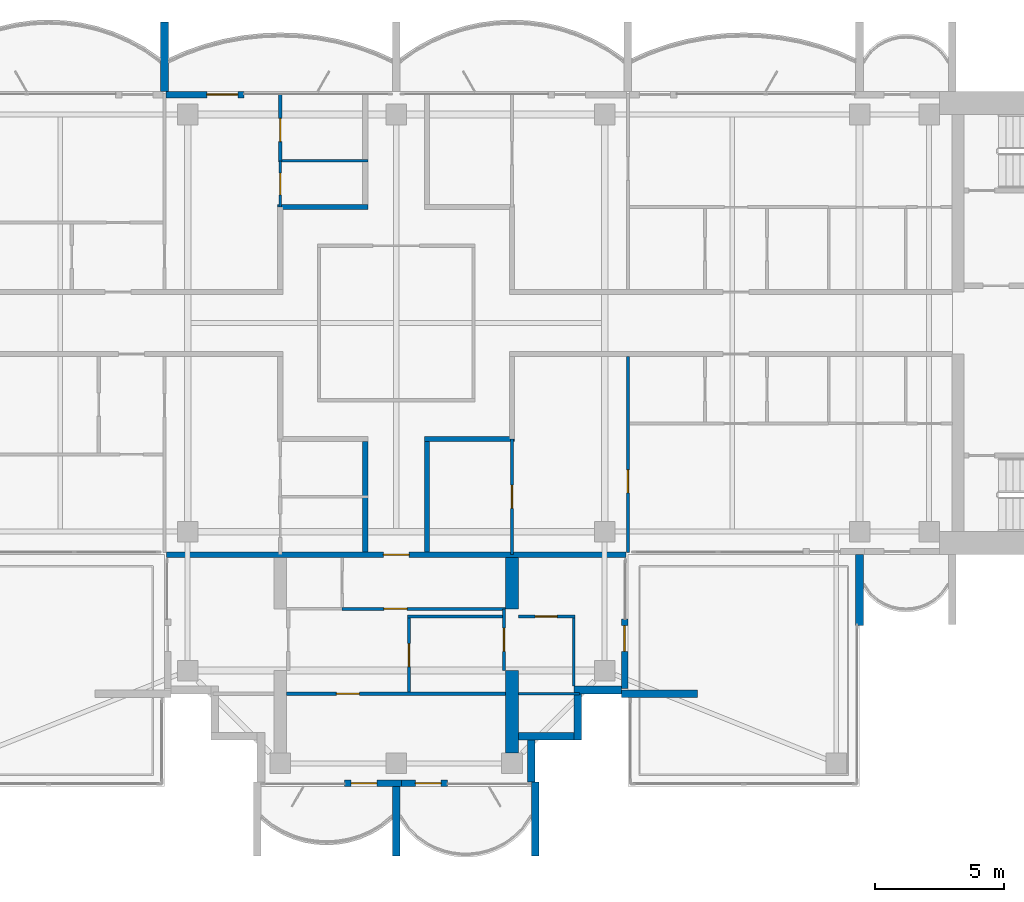
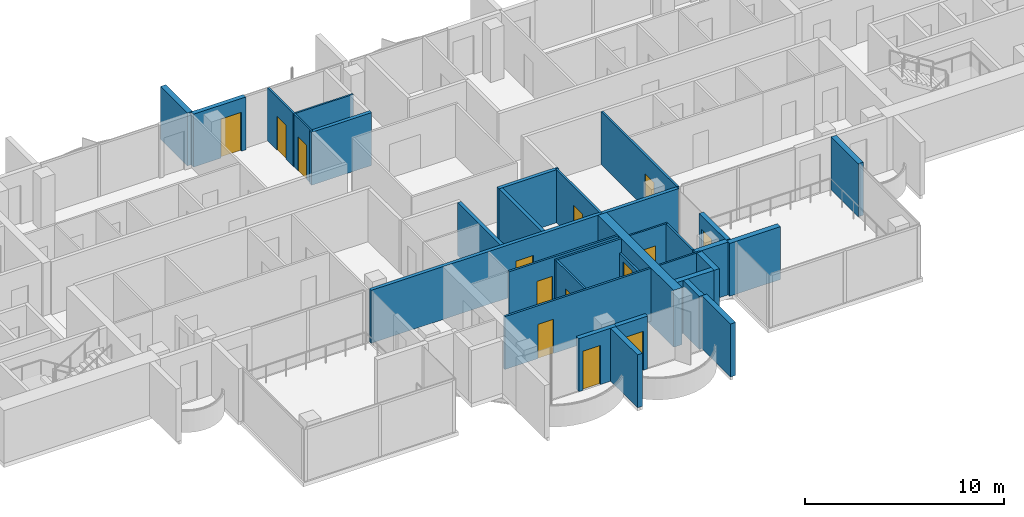
# One storey, part 9 of 16: 32 walls, 14 doors, 14 openings.
"""IFC4 building model written with IfcOpenShell, lengths in metres."""

import ifcopenshell
import ifcopenshell.guid

model = None  # the IFC model being written
_history = None  # IfcOwnerHistory: only IFC2X3 demands one
_inside = {}  # id of a spatial element -> (the spatial element, [elements in it])
_under = {}  # id of a project, library or spatial element -> (it, [spatial elements below it])
_declared = {}  # id of a project -> (the project, [libraries it declares])
_typed = {}  # id of a type object -> (the type object, [elements of that type])
_made_of = {}  # id of a material, layer set ... -> (it, [elements and type objects made of it])


def new_model(schema):
    """Start an empty IFC model of exactly this schema.

    Asked for "IFC4X3", IfcOpenShell would pick the latest addendum, in which some entities
    have other attributes; the version numbers below select the first issue.
    IFC2X3 requires an IfcOwnerHistory on every rooted entity: one is made here for all.
    """
    global model, _history
    if schema == "IFC4X3":
        model = ifcopenshell.file(schema_version=(4, 3, 0, 0))
    else:
        model = ifcopenshell.file(schema=schema)
    _inside.clear()
    _under.clear()
    _declared.clear()
    _typed.clear()
    _made_of.clear()
    _history = None
    if model.schema == "IFC2X3":
        org = make("IfcOrganization", Name="unknown")
        user = make(
            "IfcPersonAndOrganization",
            ThePerson=make("IfcPerson", FamilyName="unknown"),
            TheOrganization=org,
        )
        app = make(
            "IfcApplication",
            ApplicationDeveloper=org,
            Version="unknown",
            ApplicationFullName="unknown",
            ApplicationIdentifier="unknown",
        )
        _history = make(
            "IfcOwnerHistory",
            OwningUser=user,
            OwningApplication=app,
            ChangeAction="ADDED",
            CreationDate=0,
        )
    return model


def make(cls, **values):
    """One entity of the class cls with the attributes given. An attribute that is None is left unset."""
    return model.create_entity(
        cls, **{name: value for name, value in values.items() if value is not None}
    )


def rooted(cls, **values):
    """An entity with a GlobalId (a new one), such as an element, a storey or a relation."""
    return make(cls, GlobalId=ifcopenshell.guid.new(), OwnerHistory=_history, **values)


def si_unit(unit_type, name, prefix=None):
    """IfcSIUnit, for example si_unit("LENGTHUNIT", "METRE", prefix="MILLI")."""
    return make("IfcSIUnit", UnitType=unit_type, Prefix=prefix, Name=name)


def assignment(units):
    """IfcUnitAssignment: the units of a project."""
    return None if units is None else make("IfcUnitAssignment", Units=units)


def point(xyz):
    """IfcCartesianPoint."""
    return None if xyz is None else make("IfcCartesianPoint", Coordinates=xyz)


def direction(xyz):
    """IfcDirection."""
    return None if xyz is None else make("IfcDirection", DirectionRatios=xyz)


def frame(location, z_axis=None, x_axis=None):
    """IfcAxis2Placement3D, a coordinate frame: its origin and axes. An axis left out is left unset."""
    return make(
        "IfcAxis2Placement3D",
        Location=point(location),
        Axis=direction(z_axis),
        RefDirection=direction(x_axis),
    )


def frame_2d(location, x_axis=None):
    """IfcAxis2Placement2D, a coordinate frame in the plane: its origin and x axis."""
    return make(
        "IfcAxis2Placement2D", Location=point(location), RefDirection=direction(x_axis)
    )


def origin():
    """The frame at (0, 0, 0) with its axes left unset."""
    return frame((0.0, 0.0, 0.0))


def place(relative_to, where):
    """IfcLocalPlacement: puts the frame where relative to a parent placement (None: the world)."""
    return make(
        "IfcLocalPlacement", PlacementRelTo=relative_to, RelativePlacement=where
    )


def context(
    kind, dimensions, precision=None, world=None, true_north=None, identifier=None
):
    """IfcGeometricRepresentationContext, for example the 3D "Model" context."""
    return make(
        "IfcGeometricRepresentationContext",
        ContextIdentifier=identifier,
        ContextType=kind,
        CoordinateSpaceDimension=dimensions,
        Precision=precision,
        WorldCoordinateSystem=world,
        TrueNorth=true_north,
    )


def subcontext(parent, identifier, kind, view, scale=None):
    """IfcGeometricRepresentationSubContext, for example "Body" below "Model"."""
    return make(
        "IfcGeometricRepresentationSubContext",
        ContextIdentifier=identifier,
        ContextType=kind,
        ParentContext=parent,
        TargetScale=scale,
        TargetView=view,
    )


def project(units=None, contexts=None):
    """IfcProject with its units and contexts."""
    return rooted(
        "IfcProject",
        Name="project",
        RepresentationContexts=contexts,
        UnitsInContext=assignment(units),
    )


def spatial(cls, under=None, at=None, **own):
    """A site, building, storey or space (cls), placed at a placement, below another one or the project."""
    s = rooted(cls, ObjectPlacement=at, **own)
    if under is not None:
        _under.setdefault(under.id(), (under, []))[1].append(s)
    return s


def polyline(points):
    """IfcPolyline through the points."""
    return make("IfcPolyline", Points=[point(p) for p in points])


def profile(cls, at=None, kind="AREA", **sizes):
    """A parametric profile (cls). Its sizes go by their IFC names, for example OverallWidth=200.0."""
    return make(cls, ProfileType=kind, Position=at, **sizes)


def rectangle(**sizes):
    """IfcRectangleProfileDef."""
    return profile("IfcRectangleProfileDef", **sizes)


def outline(outer, holes=None, kind="AREA"):
    """IfcArbitraryClosedProfileDef: a profile drawn as a closed curve; with holes, ...WithVoids."""
    if holes is None:
        return make("IfcArbitraryClosedProfileDef", ProfileType=kind, OuterCurve=outer)
    return make(
        "IfcArbitraryProfileDefWithVoids",
        ProfileType=kind,
        OuterCurve=outer,
        InnerCurves=holes,
    )


def extrude(swept, where, along, depth):
    """IfcExtrudedAreaSolid: the profile swept, set in the frame where, extruded along a direction by depth."""
    return make(
        "IfcExtrudedAreaSolid",
        SweptArea=swept,
        Position=where,
        ExtrudedDirection=direction(along),
        Depth=depth,
    )


def shape(context_of_items, identifier, shape_type, items):
    """IfcShapeRepresentation: the items that make up one representation, for example the "Body"."""
    return make(
        "IfcShapeRepresentation",
        ContextOfItems=context_of_items,
        RepresentationIdentifier=identifier,
        RepresentationType=shape_type,
        Items=items,
    )


def material(Name=None, Category=None):
    """IfcMaterial."""
    return make("IfcMaterial", Name=Name, Category=Category)


def layer(
    of_material, thickness, ventilated=None, Name=None, Category=None, Priority=None
):
    """IfcMaterialLayer: one layer of a wall or slab, of a material (None: an air gap)."""
    return make(
        "IfcMaterialLayer",
        Material=of_material,
        LayerThickness=thickness,
        IsVentilated=ventilated,
        Name=Name,
        Category=Category,
        Priority=Priority,
    )


def layer_set(layers, Name=None):
    """IfcMaterialLayerSet."""
    return make("IfcMaterialLayerSet", MaterialLayers=layers, LayerSetName=Name)


def material_profile(
    of_material, cross_section, Name=None, Category=None, Priority=None
):
    """IfcMaterialProfile: a cross section and its material."""
    return make(
        "IfcMaterialProfile",
        Name=Name,
        Material=of_material,
        Profile=cross_section,
        Priority=Priority,
        Category=Category,
    )


def profile_set(profiles, Name=None, composite=None):
    """IfcMaterialProfileSet."""
    return make(
        "IfcMaterialProfileSet",
        Name=Name,
        MaterialProfiles=profiles,
        CompositeProfile=composite,
    )


def made_of(thing, what):
    """Note that an element or type object is made of a material, layer set ...; save() writes the relation."""
    if what is not None:
        _made_of.setdefault(what.id(), (what, []))[1].append(thing)
    return thing


def type_object(cls, material=None, **own):
    """A type object (cls), such as IfcWallType, which elements share."""
    return made_of(rooted(cls, **own), material)


def element(
    cls,
    number,
    at=None,
    inside=None,
    cuts=None,
    type_object=None,
    material=None,
    context=None,
    identifier="Body",
    shape_type=None,
    held_by="IfcProductDefinitionShape",
    body=None,
    shapes=None,
    **own,
):
    """One element of the class cls, such as IfcWall. Its Tag is "e" and its number.

    at: its placement. inside: the storey or other place that contains it. cuts: it is an
    opening in that element (IfcRelVoidsElement). A single representation is given by context,
    identifier, shape_type and body (its items); several are given by shapes. held_by: the class
    of the entity that holds the representations. save() writes the other relations.
    """
    e = rooted(cls, Tag="e%d" % number, ObjectPlacement=at, **own)
    if body is not None:
        shapes = [shape(context, identifier, shape_type, body)]
    if shapes is not None:
        e.Representation = make(held_by, Representations=shapes)
    if inside is not None:
        _inside.setdefault(inside.id(), (inside, []))[1].append(e)
    if cuts is not None:
        rooted(
            "IfcRelVoidsElement", RelatingBuildingElement=cuts, RelatedOpeningElement=e
        )
    if type_object is not None:
        _typed.setdefault(type_object.id(), (type_object, []))[1].append(e)
    return made_of(e, material)


def fill(opening, filler):
    """IfcRelFillsElement: the door or window that sits in an opening."""
    return rooted(
        "IfcRelFillsElement",
        RelatingOpeningElement=opening,
        RelatedBuildingElement=filler,
    )


def aggregate(whole, parts):
    """IfcRelAggregates: a whole, such as a stair, and the parts it consists of."""
    return rooted("IfcRelAggregates", RelatingObject=whole, RelatedObjects=parts)


def save(model, path):
    """Write the relations noted so far, then the file.

    IfcRelAggregates (storeys below a building ...), IfcRelContainedInSpatialStructure (elements
    in a storey), IfcRelDefinesByType, IfcRelAssociatesMaterial and IfcRelDeclares: one each for
    every whole, place, type object, material and project.
    """
    for whole, parts in _under.values():
        aggregate(whole, parts)
    for where, things in _inside.values():
        rooted(
            "IfcRelContainedInSpatialStructure",
            RelatedElements=things,
            RelatingStructure=where,
        )
    for kind, things in _typed.values():
        rooted("IfcRelDefinesByType", RelatedObjects=things, RelatingType=kind)
    for what, things in _made_of.values():
        rooted("IfcRelAssociatesMaterial", RelatedObjects=things, RelatingMaterial=what)
    for by, libraries in _declared.values():
        rooted("IfcRelDeclares", RelatingContext=by, RelatedDefinitions=libraries)
    model.write(path)


model = new_model("IFC4")

# Units and contexts
model_context = context("Model", 3, precision=1e-05, world=origin(), true_north=direction((0.0, 1.0)))
body_context = subcontext(model_context, "Body", "Model", "MODEL_VIEW")
ifc_project = project(units=[si_unit("LENGTHUNIT", "METRE"), si_unit("AREAUNIT", "SQUARE_METRE"), si_unit("VOLUMEUNIT", "CUBIC_METRE"), si_unit("PLANEANGLEUNIT", "RADIAN"), si_unit("MASSUNIT", "GRAM", prefix="KILO")], contexts=[model_context])

# Site, building, storey
site_placement = place(None, origin())
site = spatial("IfcSite", under=ifc_project, at=site_placement, CompositionType="ELEMENT")
building_placement = place(site_placement, origin())
building = spatial("IfcBuilding", under=site, at=building_placement, Name="Perihelion Cross Residences", CompositionType="ELEMENT")
storey_placement = place(building_placement, frame((0.0, 0.0, 246.5)))
storey = spatial("IfcBuildingStorey", under=building, at=storey_placement, Name="L62", CompositionType="ELEMENT", Elevation=246.5)

# Walls
ifc_material_1 = material(Name="Plasterboard partition")
ifc_layer_1 = layer(ifc_material_1, 0.199951171875)
ifc_layer_set_1 = layer_set([ifc_layer_1], Name="Apartment separation wall 200")
wall_type_1 = type_object("IfcWallType", Name="Apartment separation wall 200", PredefinedType="PARTITIONING", material=ifc_layer_set_1)
wall_1_placement = place(storey_placement, frame((4.60009765625, -4.5, 0.0), z_axis=(0.0, 0.0, 1.0), x_axis=(-1.0, 0.0, 0.0)))
element("IfcWall", 1, at=wall_1_placement, inside=storey, type_object=wall_type_1, Name="Partition L62 W011", PredefinedType="PARTITIONING", context=body_context, shape_type="SweptSolid", body=[
    extrude(rectangle(XDim=3.5, YDim=0.199951171875, at=frame_2d((1.75, 0.0))), origin(), (0.0, 0.0, 1.0), 3.25),
])
wall_2_placement = place(storey_placement, frame((1.199951171875, -4.60009765625, 0.0), z_axis=(0.0, 0.0, 1.0), x_axis=(0.0, -1.0, 0.0)))
element("IfcWall", 2, at=wall_2_placement, inside=storey, type_object=wall_type_1, Name="Partition L62 W012", PredefinedType="PARTITIONING", context=body_context, shape_type="SweptSolid", body=[
    extrude(rectangle(XDim=4.2998046875, YDim=0.199951171875, at=frame_2d((2.14990234375, 0.0))), origin(), (0.0, 0.0, 1.0), 3.25),
])
wall_3_placement = place(storey_placement, frame((-4.60009765625, 4.5, 0.0), z_axis=(0.0, 0.0, 1.0), x_axis=(1.0, 0.0, 0.0)))
element("IfcWall", 3, at=wall_3_placement, inside=storey, type_object=wall_type_1, Name="Partition L62 W015", PredefinedType="PARTITIONING", context=body_context, shape_type="SweptSolid", body=[
    extrude(rectangle(XDim=3.5, YDim=0.199951171875, at=frame_2d((1.75, 0.0))), origin(), (0.0, 0.0, 1.0), 3.25),
])
wall_4_placement = place(storey_placement, frame((-1.199951171875, -8.89990234375, 0.0), z_axis=(0.0, 0.0, 1.0), x_axis=(0.0, 1.0, 0.0)))
element("IfcWall", 4, at=wall_4_placement, inside=storey, type_object=wall_type_1, Name="Partition L62 W019", PredefinedType="PARTITIONING", context=body_context, shape_type="SweptSolid", body=[
    extrude(rectangle(XDim=4.2998046875, YDim=0.199951171875, at=frame_2d((2.14990234375, 0.0))), origin(), (0.0, 0.0, 1.0), 3.25),
])

# Wall, opening, door
wall_5_placement = place(storey_placement, frame((8.919921875, -9.0, 0.0), z_axis=(0.0, 0.0, 1.0), x_axis=(-1.0, 0.0, 0.0)))
wall_5 = element("IfcWall", 5, at=wall_5_placement, inside=storey, type_object=wall_type_1, Name="Partition L62 W021", PredefinedType="PARTITIONING", context=body_context, shape_type="SweptSolid", body=[
    extrude(rectangle(XDim=17.83984375, YDim=0.199951171875, at=frame_2d((8.919921875, 0.0))), origin(), (0.0, 0.0, 1.0), 3.25),
])
opening_1_placement = place(wall_5_placement, frame((8.419921875, 0.0, 0.0)))
opening_1 = element("IfcOpeningElement", 6, at=opening_1_placement, cuts=wall_5, Name="Opening L62.A32", PredefinedType="OPENING", context=body_context, shape_type="SweptSolid", body=[
    extrude(rectangle(XDim=1.0, YDim=2.10009765625, at=frame_2d((0.5, 1.050048828125))), frame((0.0, 0.10986328125, 0.0), z_axis=(0.0, -1.0, 0.0), x_axis=(1.0, 0.0, 0.0)), (0.0, 0.0, 1.0), 0.219970703125),
])
ifc_material_2 = material(Name="Timber door leaf", Category="wood")
door_type_1 = type_object("IfcDoorType", Name="Flat entrance door 1000 x 2100", OperationType="SINGLE_SWING_LEFT", PredefinedType="DOOR", material=ifc_material_2)
door_1_placement = place(opening_1_placement, origin())
door_1 = element("IfcDoor", 7, at=door_1_placement, inside=storey, type_object=door_type_1, Name="Door L62.A32", OperationType="SINGLE_SWING_RIGHT", OverallHeight=2.10009765625, OverallWidth=1.0, PredefinedType="DOOR", context=body_context, shape_type="SweptSolid", body=[
    extrude(rectangle(XDim=1.0, YDim=2.10009765625, at=frame_2d((0.5, 1.050048828125))), frame((0.0, 0.02490234375, 0.0), z_axis=(0.0, -1.0, 0.0), x_axis=(1.0, 0.0, 0.0)), (0.0, 0.0, 1.0), 0.050048828125),
])
fill(opening_1, door_1)

ifc_material_3 = material(Name="Concrete C30/37, bronze-clad", Category="concrete")
ifc_layer_2 = layer(ifc_material_3, 0.25)
ifc_layer_set_2 = layer_set([ifc_layer_2], Name="Bronze-clad pier wall 250")
wall_type_2 = type_object("IfcWallType", Name="Bronze-clad pier wall 250", PredefinedType="SOLIDWALL", material=ifc_layer_set_2)
wall_6_placement = place(storey_placement, frame((-5.89990234375, 8.875, 0.0), z_axis=(0.0, 0.0, 1.0), x_axis=(-1.0, 0.0, 0.0)))
wall_6 = element("IfcWall", 8, at=wall_6_placement, inside=storey, type_object=wall_type_2, Name="Wall FW1 L62 north side east bay 2 pier", PredefinedType="SOLIDWALL", context=body_context, shape_type="SweptSolid", body=[
    extrude(rectangle(XDim=3.0400390625, YDim=0.25, at=frame_2d((1.52001953125, 0.0))), origin(), (0.0, 0.0, 1.0), 3.25),
])
opening_2_placement = place(wall_6_placement, frame((0.25, 0.0, 0.0)))
opening_2 = element("IfcOpeningElement", 9, at=opening_2_placement, cuts=wall_6, Name="Opening L62.E04", PredefinedType="OPENING", context=body_context, shape_type="SweptSolid", body=[
    extrude(rectangle(XDim=1.199951171875, YDim=2.39990234375, at=frame_2d((0.60009765625, 1.199951171875))), frame((0.0, 0.135009765625, 0.0), z_axis=(0.0, -1.0, 0.0), x_axis=(1.0, 0.0, 0.0)), (0.0, 0.0, 1.0), 0.27001953125),
])
ifc_material_4 = material(Name="Bronze anodised aluminium, glazed", Category="aluminium")
door_type_2 = type_object("IfcDoorType", Name="Balcony door 1200 x 2400", OperationType="NOTDEFINED", PredefinedType="DOOR", material=ifc_material_4)
door_2_placement = place(opening_2_placement, origin())
door_2 = element("IfcDoor", 10, at=door_2_placement, inside=storey, type_object=door_type_2, Name="Door L62.E04 north side east bay 2", OperationType="SINGLE_SWING_RIGHT", OverallHeight=2.39990234375, OverallWidth=1.199951171875, PredefinedType="DOOR", context=body_context, shape_type="SweptSolid", body=[
    extrude(rectangle(XDim=1.199951171875, YDim=2.39990234375, at=frame_2d((0.60009765625, 1.199951171875))), frame((0.0, 0.02490234375, 0.0), z_axis=(0.0, -1.0, 0.0), x_axis=(1.0, 0.0, 0.0)), (0.0, 0.0, 1.0), 0.050048828125),
])
fill(opening_2, door_2)

wall_7_placement = place(storey_placement, frame((-2.0, -17.875, 0.0), z_axis=(0.0, 0.0, 1.0), x_axis=(1.0, 0.0, 0.0)))
wall_7 = element("IfcWall", 11, at=wall_7_placement, inside=storey, type_object=wall_type_2, Name="Wall FW1 L62 south tip south bay 1 pier", PredefinedType="SOLIDWALL", context=body_context, shape_type="SweptSolid", body=[
    extrude(rectangle(XDim=2.199951171875, YDim=0.25, at=frame_2d((1.10009765625, 0.0))), origin(), (0.0, 0.0, 1.0), 3.25),
])
opening_3_placement = place(wall_7_placement, frame((0.25, 0.0, 0.0)))
opening_3 = element("IfcOpeningElement", 12, at=opening_3_placement, cuts=wall_7, Name="Opening L62.E10", PredefinedType="OPENING", context=body_context, shape_type="SweptSolid", body=[
    extrude(rectangle(XDim=1.0, YDim=2.39990234375, at=frame_2d((0.5, 1.199951171875))), frame((0.0, 0.135009765625, 0.0), z_axis=(0.0, -1.0, 0.0), x_axis=(1.0, 0.0, 0.0)), (0.0, 0.0, 1.0), 0.27001953125),
])
ifc_material_5 = material(Name="Bronze anodised aluminium, glazed", Category="aluminium")
door_type_3 = type_object("IfcDoorType", Name="Balcony door 1000 x 2400", OperationType="NOTDEFINED", PredefinedType="DOOR", material=ifc_material_5)
door_3_placement = place(opening_3_placement, origin())
door_3 = element("IfcDoor", 13, at=door_3_placement, inside=storey, type_object=door_type_3, Name="Door L62.E10 south tip south bay 1", OperationType="SINGLE_SWING_RIGHT", OverallHeight=2.39990234375, OverallWidth=1.0, PredefinedType="DOOR", context=body_context, shape_type="SweptSolid", body=[
    extrude(rectangle(XDim=1.0, YDim=2.39990234375, at=frame_2d((0.5, 1.199951171875))), frame((0.0, 0.02490234375, 0.0), z_axis=(0.0, -1.0, 0.0), x_axis=(1.0, 0.0, 0.0)), (0.0, 0.0, 1.0), 0.050048828125),
])
fill(opening_3, door_3)

wall_8_placement = place(storey_placement, frame((0.199951171875, -17.875, 0.0), z_axis=(0.0, 0.0, 1.0), x_axis=(1.0, 0.0, 0.0)))
wall_8 = element("IfcWall", 14, at=wall_8_placement, inside=storey, type_object=wall_type_2, Name="Wall FW1 L62 south tip south bay 2 pier", PredefinedType="SOLIDWALL", context=body_context, shape_type="SweptSolid", body=[
    extrude(rectangle(XDim=1.800048828125, YDim=0.25, at=frame_2d((0.89990234375, 0.0))), origin(), (0.0, 0.0, 1.0), 3.25),
])
opening_4_placement = place(wall_8_placement, frame((0.550048828125, 0.0, 0.0)))
opening_4 = element("IfcOpeningElement", 15, at=opening_4_placement, cuts=wall_8, Name="Opening L62.E11", PredefinedType="OPENING", context=body_context, shape_type="SweptSolid", body=[
    extrude(rectangle(XDim=1.0, YDim=2.39990234375, at=frame_2d((0.5, 1.199951171875))), frame((0.0, 0.135009765625, 0.0), z_axis=(0.0, -1.0, 0.0), x_axis=(1.0, 0.0, 0.0)), (0.0, 0.0, 1.0), 0.27001953125),
])
door_4_placement = place(opening_4_placement, origin())
door_4 = element("IfcDoor", 16, at=door_4_placement, inside=storey, type_object=door_type_3, Name="Door L62.E11 south tip south bay 2", OperationType="SINGLE_SWING_LEFT", OverallHeight=2.39990234375, OverallWidth=1.0, PredefinedType="DOOR", context=body_context, shape_type="SweptSolid", body=[
    extrude(rectangle(XDim=1.0, YDim=2.39990234375, at=frame_2d((0.5, 1.199951171875))), frame((0.0, 0.02490234375, 0.0), z_axis=(0.0, -1.0, 0.0), x_axis=(1.0, 0.0, 0.0)), (0.0, 0.0, 1.0), 0.050048828125),
])
fill(opening_4, door_4)

wall_9_placement = place(storey_placement, frame((8.875, -14.199951171875, 0.0), z_axis=(0.0, 0.0, 1.0), x_axis=(0.0, 1.0, 0.0)))
wall_9 = element("IfcWall", 17, at=wall_9_placement, inside=storey, type_object=wall_type_2, Name="Wall FW1 L62 south side east bay 1 pier", PredefinedType="SOLIDWALL", context=body_context, shape_type="SweptSolid", body=[
    extrude(rectangle(XDim=2.699951171875, YDim=0.25, at=frame_2d((1.35009765625, 0.0))), origin(), (0.0, 0.0, 1.0), 3.25),
])
opening_5_placement = place(wall_9_placement, frame((1.449951171875, 0.0, 0.0)))
opening_5 = element("IfcOpeningElement", 18, at=opening_5_placement, cuts=wall_9, Name="Opening L62.E12", PredefinedType="OPENING", context=body_context, shape_type="SweptSolid", body=[
    extrude(rectangle(XDim=1.0, YDim=2.39990234375, at=frame_2d((0.5, 1.199951171875))), frame((0.0, 0.135009765625, 0.0), z_axis=(0.0, -1.0, 0.0), x_axis=(1.0, 0.0, 0.0)), (0.0, 0.0, 1.0), 0.27001953125),
])
door_5_placement = place(opening_5_placement, origin())
door_5 = element("IfcDoor", 19, at=door_5_placement, inside=storey, type_object=door_type_3, Name="Door L62.E12 south side east bay 1", OperationType="SINGLE_SWING_RIGHT", OverallHeight=2.39990234375, OverallWidth=1.0, PredefinedType="DOOR", context=body_context, shape_type="SweptSolid", body=[
    extrude(rectangle(XDim=1.0, YDim=2.39990234375, at=frame_2d((0.5, 1.199951171875))), frame((0.0, 0.02490234375, 0.0), z_axis=(0.0, -1.0, 0.0), x_axis=(1.0, 0.0, 0.0)), (0.0, 0.0, 1.0), 0.050048828125),
])
fill(opening_5, door_5)

# Walls
ifc_material_6 = material(Name="Concrete C30/37, bronze-clad", Category="concrete")
ifc_layer_3 = layer(ifc_material_6, 0.300048828125)
ifc_layer_set_3 = layer_set([ifc_layer_3], Name="Bronze-clad serration wall 300")
wall_type_3 = type_object("IfcWallType", Name="Bronze-clad serration wall 300", PredefinedType="SOLIDWALL", material=ifc_layer_set_3)
wall_10_placement = place(storey_placement, frame((5.25, -17.820068359375, 0.0), z_axis=(0.0, 0.0, 1.0), x_axis=(0.0, 1.0, 0.0)))
element("IfcWall", 20, at=wall_10_placement, inside=storey, type_object=wall_type_3, Name="Wall SR1 L62 south corner south-east 1", PredefinedType="SOLIDWALL", context=body_context, shape_type="SweptSolid", body=[
    extrude(rectangle(XDim=1.6201171875, YDim=0.300048828125, at=frame_2d((0.81005859375, 0.0))), origin(), (0.0, 0.0, 1.0), 3.25),
])
wall_11_placement = place(storey_placement, frame((4.75, -16.050048828125, 0.0), z_axis=(0.0, 0.0, 1.0), x_axis=(1.0, 0.0, 0.0)))
element("IfcWall", 21, at=wall_11_placement, inside=storey, type_object=wall_type_3, Name="Wall SR1 L62 south corner south-east 2", PredefinedType="SOLIDWALL", context=body_context, shape_type="SweptSolid", body=[
    extrude(rectangle(XDim=2.14990234375, YDim=0.300048828125, at=frame_2d((1.074951171875, 0.0))), origin(), (0.0, 0.0, 1.0), 3.25),
])
wall_12_placement = place(storey_placement, frame((7.050048828125, -16.199951171875, 0.0), z_axis=(0.0, 0.0, 1.0), x_axis=(0.0, 1.0, 0.0)))
element("IfcWall", 22, at=wall_12_placement, inside=storey, type_object=wall_type_3, Name="Wall SR1 L62 south corner south-east 3", PredefinedType="SOLIDWALL", context=body_context, shape_type="SweptSolid", body=[
    extrude(rectangle(XDim=1.800048828125, YDim=0.300048828125, at=frame_2d((0.89990234375, 0.0))), origin(), (0.0, 0.0, 1.0), 3.25),
])
wall_13_placement = place(storey_placement, frame((6.89990234375, -14.25, 0.0), z_axis=(0.0, 0.0, 1.0), x_axis=(1.0, 0.0, 0.0)))
element("IfcWall", 23, at=wall_13_placement, inside=storey, type_object=wall_type_3, Name="Wall SR1 L62 south corner south-east 4", PredefinedType="SOLIDWALL", context=body_context, shape_type="SweptSolid", body=[
    extrude(rectangle(XDim=1.85009765625, YDim=0.300048828125, at=frame_2d((0.925048828125, 0.0))), origin(), (0.0, 0.0, 1.0), 3.25),
])

# Wall, opening, door
ifc_material_7 = material(Name="Plasterboard partition")
ifc_layer_4 = layer(ifc_material_7, 0.1201171875)
ifc_layer_set_4 = layer_set([ifc_layer_4], Name="Infill panel 120")
wall_type_4 = type_object("IfcWallType", Name="Infill panel 120", PredefinedType="PARTITIONING", material=ifc_layer_set_4)
wall_14_placement = place(storey_placement, frame((4.18994140625, -11.10009765625, 0.0), z_axis=(0.0, 0.0, 1.0), x_axis=(0.0, -1.0, 0.0)))
wall_14 = element("IfcWall", 24, at=wall_14_placement, inside=storey, type_object=wall_type_4, Name="Partition L62 WI01", PredefinedType="PARTITIONING", context=body_context, shape_type="SweptSolid", body=[
    extrude(rectangle(XDim=2.39990234375, YDim=0.1201171875, at=frame_2d((1.199951171875, 0.0))), origin(), (0.0, 0.0, 1.0), 2.39990234375),
])
opening_6_placement = place(wall_14_placement, frame((0.75, 0.0, 0.0)))
opening_6 = element("IfcOpeningElement", 25, at=opening_6_placement, cuts=wall_14, Name="Opening L62.A42", PredefinedType="OPENING", context=body_context, shape_type="SweptSolid", body=[
    extrude(rectangle(XDim=0.89990234375, YDim=2.10009765625, at=frame_2d((0.449951171875, 1.050048828125))), frame((0.0, 0.070068359375, 0.0), z_axis=(0.0, -1.0, 0.0), x_axis=(1.0, 0.0, 0.0)), (0.0, 0.0, 1.0), 0.14013671875),
])
ifc_material_8 = material(Name="Timber door leaf", Category="wood")
door_type_4 = type_object("IfcDoorType", Name="Interior room door 900 x 2100", OperationType="SINGLE_SWING_LEFT", PredefinedType="DOOR", material=ifc_material_8)
door_6_placement = place(opening_6_placement, origin())
door_6 = element("IfcDoor", 26, at=door_6_placement, inside=storey, type_object=door_type_4, Name="Door L62.A42", OperationType="SINGLE_SWING_LEFT", OverallHeight=2.10009765625, OverallWidth=0.89990234375, PredefinedType="DOOR", context=body_context, shape_type="SweptSolid", body=[
    extrude(rectangle(XDim=0.89990234375, YDim=2.10009765625, at=frame_2d((0.449951171875, 1.050048828125))), frame((0.0, 0.02490234375, 0.0), z_axis=(0.0, -1.0, 0.0), x_axis=(1.0, 0.0, 0.0)), (0.0, 0.0, 1.0), 0.050048828125),
])
fill(opening_6, door_6)

ifc_material_9 = material(Name="Plasterboard partition")
ifc_layer_5 = layer(ifc_material_9, 0.1201171875)
ifc_layer_set_5 = layer_set([ifc_layer_5], Name="Partition wall 120")
wall_type_5 = type_object("IfcWallType", Name="Partition wall 120", PredefinedType="PARTITIONING", material=ifc_layer_set_5)
wall_15_placement = place(storey_placement, frame((9.0, -8.919921875, 0.0), z_axis=(0.0, 0.0, 1.0), x_axis=(0.0, 1.0, 0.0)))
wall_15 = element("IfcWall", 27, at=wall_15_placement, inside=storey, type_object=wall_type_5, Name="Partition L62 W033", PredefinedType="PARTITIONING", context=body_context, shape_type="SweptSolid", body=[
    extrude(rectangle(XDim=7.619873046875, YDim=0.1201171875, at=frame_2d((3.81005859375, 0.0))), origin(), (0.0, 0.0, 1.0), 3.25),
])
opening_7_placement = place(wall_15_placement, frame((2.320068359375, 0.0, 0.0)))
opening_7 = element("IfcOpeningElement", 28, at=opening_7_placement, cuts=wall_15, Name="Opening L62.A14", PredefinedType="OPENING", context=body_context, shape_type="SweptSolid", body=[
    extrude(rectangle(XDim=0.89990234375, YDim=2.10009765625, at=frame_2d((0.449951171875, 1.050048828125))), frame((0.0, 0.070068359375, 0.0), z_axis=(0.0, -1.0, 0.0), x_axis=(1.0, 0.0, 0.0)), (0.0, 0.0, 1.0), 0.14013671875),
])
door_7_placement = place(opening_7_placement, origin())
door_7 = element("IfcDoor", 29, at=door_7_placement, inside=storey, type_object=door_type_4, Name="Door L62.A14", OperationType="SINGLE_SWING_RIGHT", OverallHeight=2.10009765625, OverallWidth=0.89990234375, PredefinedType="DOOR", context=body_context, shape_type="SweptSolid", body=[
    extrude(rectangle(XDim=0.89990234375, YDim=2.10009765625, at=frame_2d((0.449951171875, 1.050048828125))), frame((0.0, 0.02490234375, 0.0), z_axis=(0.0, -1.0, 0.0), x_axis=(1.0, 0.0, 0.0)), (0.0, 0.0, 1.0), 0.050048828125),
])
fill(opening_7, door_7)

wall_16_placement = place(storey_placement, frame((4.5, -9.0, 0.0), z_axis=(0.0, 0.0, 1.0), x_axis=(0.0, 1.0, 0.0)))
wall_16 = element("IfcWall", 30, at=wall_16_placement, inside=storey, type_object=wall_type_5, Name="Partition L62 W039", PredefinedType="PARTITIONING", context=body_context, shape_type="SweptSolid", body=[
    extrude(rectangle(XDim=4.5, YDim=0.1201171875, at=frame_2d((2.25, 0.0))), origin(), (0.0, 0.0, 1.0), 3.25),
])
opening_8_placement = place(wall_16_placement, frame((1.800048828125, 0.0, 0.0)))
opening_8 = element("IfcOpeningElement", 31, at=opening_8_placement, cuts=wall_16, Name="Opening L62.A10", PredefinedType="OPENING", context=body_context, shape_type="SweptSolid", body=[
    extrude(rectangle(XDim=0.89990234375, YDim=2.10009765625, at=frame_2d((0.449951171875, 1.050048828125))), frame((0.0, 0.070068359375, 0.0), z_axis=(0.0, -1.0, 0.0), x_axis=(1.0, 0.0, 0.0)), (0.0, 0.0, 1.0), 0.14013671875),
])
door_8_placement = place(opening_8_placement, origin())
door_8 = element("IfcDoor", 32, at=door_8_placement, inside=storey, type_object=door_type_4, Name="Door L62.A10", OperationType="SINGLE_SWING_LEFT", OverallHeight=2.10009765625, OverallWidth=0.89990234375, PredefinedType="DOOR", context=body_context, shape_type="SweptSolid", body=[
    extrude(rectangle(XDim=0.89990234375, YDim=2.10009765625, at=frame_2d((0.449951171875, 1.050048828125))), frame((0.0, 0.02490234375, 0.0), z_axis=(0.0, -1.0, 0.0), x_axis=(1.0, 0.0, 0.0)), (0.0, 0.0, 1.0), 0.050048828125),
])
fill(opening_8, door_8)

wall_17_placement = place(storey_placement, frame((-4.5, 8.919921875, 0.0), z_axis=(0.0, 0.0, 1.0), x_axis=(0.0, -1.0, 0.0)))
wall_17 = element("IfcWall", 33, at=wall_17_placement, inside=storey, type_object=wall_type_5, Name="Partition L62 W049", PredefinedType="PARTITIONING", context=body_context, shape_type="SweptSolid", body=[
    extrude(rectangle(XDim=2.619873046875, YDim=0.1201171875, at=frame_2d((1.31005859375, 0.0))), origin(), (0.0, 0.0, 1.0), 3.25),
])
opening_9_placement = place(wall_17_placement, frame((0.969970703125, 0.0, 0.0)))
opening_9 = element("IfcOpeningElement", 34, at=opening_9_placement, cuts=wall_17, Name="Opening L62.A21", PredefinedType="OPENING", context=body_context, shape_type="SweptSolid", body=[
    extrude(rectangle(XDim=0.89990234375, YDim=2.10009765625, at=frame_2d((0.449951171875, 1.050048828125))), frame((0.0, 0.070068359375, 0.0), z_axis=(0.0, -1.0, 0.0), x_axis=(1.0, 0.0, 0.0)), (0.0, 0.0, 1.0), 0.14013671875),
])
door_9_placement = place(opening_9_placement, origin())
door_9 = element("IfcDoor", 35, at=door_9_placement, inside=storey, type_object=door_type_4, Name="Door L62.A21", OperationType="SINGLE_SWING_LEFT", OverallHeight=2.10009765625, OverallWidth=0.89990234375, PredefinedType="DOOR", context=body_context, shape_type="SweptSolid", body=[
    extrude(rectangle(XDim=0.89990234375, YDim=2.10009765625, at=frame_2d((0.449951171875, 1.050048828125))), frame((0.0, 0.02490234375, 0.0), z_axis=(0.0, -1.0, 0.0), x_axis=(1.0, 0.0, 0.0)), (0.0, 0.0, 1.0), 0.050048828125),
])
fill(opening_9, door_9)

wall_18_placement = place(storey_placement, frame((4.25, -11.10009765625, 0.0), z_axis=(0.0, 0.0, 1.0), x_axis=(-1.0, 0.0, 0.0)))
wall_18 = element("IfcWall", 36, at=wall_18_placement, inside=storey, type_object=wall_type_5, Name="Partition L62 W062", PredefinedType="PARTITIONING", context=body_context, shape_type="SweptSolid", body=[
    extrude(rectangle(XDim=6.35009765625, YDim=0.1201171875, at=frame_2d((3.175048828125, 0.0))), origin(), (0.0, 0.0, 1.0), 3.25),
])
opening_10_placement = place(wall_18_placement, frame((3.824951171875, 0.0, 0.0)))
opening_10 = element("IfcOpeningElement", 37, at=opening_10_placement, cuts=wall_18, Name="Opening L62.A34", PredefinedType="OPENING", context=body_context, shape_type="SweptSolid", body=[
    extrude(rectangle(XDim=0.89990234375, YDim=2.10009765625, at=frame_2d((0.449951171875, 1.050048828125))), frame((0.0, 0.070068359375, 0.0), z_axis=(0.0, -1.0, 0.0), x_axis=(1.0, 0.0, 0.0)), (0.0, 0.0, 1.0), 0.14013671875),
])
door_10_placement = place(opening_10_placement, origin())
door_10 = element("IfcDoor", 38, at=door_10_placement, inside=storey, type_object=door_type_4, Name="Door L62.A34", OperationType="SINGLE_SWING_LEFT", OverallHeight=2.10009765625, OverallWidth=0.89990234375, PredefinedType="DOOR", context=body_context, shape_type="SweptSolid", body=[
    extrude(rectangle(XDim=0.89990234375, YDim=2.10009765625, at=frame_2d((0.449951171875, 1.050048828125))), frame((0.0, 0.02490234375, 0.0), z_axis=(0.0, -1.0, 0.0), x_axis=(1.0, 0.0, 0.0)), (0.0, 0.0, 1.0), 0.050048828125),
])
fill(opening_10, door_10)

# Wall
wall_19_placement = place(storey_placement, frame((4.25, -11.39990234375, 0.0), z_axis=(0.0, 0.0, 1.0), x_axis=(-1.0, 0.0, 0.0)))
element("IfcWall", 39, at=wall_19_placement, inside=storey, type_object=wall_type_5, Name="Partition L62 W064", PredefinedType="PARTITIONING", context=body_context, shape_type="SweptSolid", body=[
    extrude(rectangle(XDim=3.81005859375, YDim=0.1201171875, at=frame_2d((1.905029296875, 0.0))), origin(), (0.0, 0.0, 1.0), 3.25),
])

# Wall, opening, door
wall_20_placement = place(storey_placement, frame((0.5, -11.4599609375, 0.0), z_axis=(0.0, 0.0, 1.0), x_axis=(0.0, -1.0, 0.0)))
wall_20 = element("IfcWall", 40, at=wall_20_placement, inside=storey, type_object=wall_type_5, Name="Partition L62 W065", PredefinedType="PARTITIONING", context=body_context, shape_type="SweptSolid", body=[
    extrude(rectangle(XDim=2.880126953125, YDim=0.1201171875, at=frame_2d((1.43994140625, 0.0))), origin(), (0.0, 0.0, 1.0), 3.25),
])
opening_11_placement = place(wall_20_placement, frame((0.989990234375, 0.0, 0.0)))
opening_11 = element("IfcOpeningElement", 41, at=opening_11_placement, cuts=wall_20, Name="Opening L62.A35", PredefinedType="OPENING", context=body_context, shape_type="SweptSolid", body=[
    extrude(rectangle(XDim=0.89990234375, YDim=2.10009765625, at=frame_2d((0.449951171875, 1.050048828125))), frame((0.0, 0.070068359375, 0.0), z_axis=(0.0, -1.0, 0.0), x_axis=(1.0, 0.0, 0.0)), (0.0, 0.0, 1.0), 0.14013671875),
])
door_11_placement = place(opening_11_placement, origin())
door_11 = element("IfcDoor", 42, at=door_11_placement, inside=storey, type_object=door_type_4, Name="Door L62.A35", OperationType="SINGLE_SWING_RIGHT", OverallHeight=2.10009765625, OverallWidth=0.89990234375, PredefinedType="DOOR", context=body_context, shape_type="SweptSolid", body=[
    extrude(rectangle(XDim=0.89990234375, YDim=2.10009765625, at=frame_2d((0.449951171875, 1.050048828125))), frame((0.0, 0.02490234375, 0.0), z_axis=(0.0, -1.0, 0.0), x_axis=(1.0, 0.0, 0.0)), (0.0, 0.0, 1.0), 0.050048828125),
])
fill(opening_11, door_11)

wall_21_placement = place(storey_placement, frame((4.25, -14.39990234375, 0.0), z_axis=(0.0, 0.0, 1.0), x_axis=(-1.0, 0.0, 0.0)))
wall_21 = element("IfcWall", 43, at=wall_21_placement, inside=storey, type_object=wall_type_5, Name="Partition L62 W066", PredefinedType="PARTITIONING", context=body_context, shape_type="SweptSolid", body=[
    extrude(rectangle(XDim=8.5, YDim=0.1201171875, at=frame_2d((4.25, 0.0))), origin(), (0.0, 0.0, 1.0), 3.25),
])
opening_12_placement = place(wall_21_placement, frame((5.675048828125, 0.0, 0.0)))
opening_12 = element("IfcOpeningElement", 44, at=opening_12_placement, cuts=wall_21, Name="Opening L62.A36", PredefinedType="OPENING", context=body_context, shape_type="SweptSolid", body=[
    extrude(rectangle(XDim=0.89990234375, YDim=2.10009765625, at=frame_2d((0.449951171875, 1.050048828125))), frame((0.0, 0.070068359375, 0.0), z_axis=(0.0, -1.0, 0.0), x_axis=(1.0, 0.0, 0.0)), (0.0, 0.0, 1.0), 0.14013671875),
])
door_12_placement = place(opening_12_placement, origin())
door_12 = element("IfcDoor", 45, at=door_12_placement, inside=storey, type_object=door_type_4, Name="Door L62.A36", OperationType="SINGLE_SWING_RIGHT", OverallHeight=2.10009765625, OverallWidth=0.89990234375, PredefinedType="DOOR", context=body_context, shape_type="SweptSolid", body=[
    extrude(rectangle(XDim=0.89990234375, YDim=2.10009765625, at=frame_2d((0.449951171875, 1.050048828125))), frame((0.0, 0.02490234375, 0.0), z_axis=(0.0, -1.0, 0.0), x_axis=(1.0, 0.0, 0.0)), (0.0, 0.0, 1.0), 0.050048828125),
])
fill(opening_12, door_12)

# Walls
ifc_material_10 = material(Name="Precast concrete C50/60", Category="concrete")
ifc_layer_6 = layer(ifc_material_10, 0.300048828125)
ifc_layer_set_6 = layer_set([ifc_layer_6], Name="Precast concrete C50/60 blade wall 300")
wall_type_6 = type_object("IfcWallType", Name="Precast concrete C50/60 blade wall 300", PredefinedType="SOLIDWALL", material=ifc_layer_set_6)
for number, where, z_axis, x_axis, name in (
    (46, (-9.0, 9.0, 0.0), (0.0, 0.0, 1.0), (0.0, 1.0, 0.0), "Wall BL1 L62 no. 7"),
    (47, (0.0, -18.0, 0.0), (0.0, 0.0, 1.0), (0.0, -1.0, 0.0), "Wall BL1 L62 no. 8"),
):
    element("IfcWall", number, at=place(storey_placement, frame(where, z_axis=z_axis, x_axis=x_axis)), inside=storey, type_object=wall_type_6, Name=name, PredefinedType="SOLIDWALL", context=body_context, shape_type="SweptSolid", body=[
        extrude(rectangle(XDim=2.699951171875, YDim=0.300048828125, at=frame_2d((1.35009765625, 0.0))), origin(), (0.0, 0.0, 1.0), 3.25),
    ])
wall_22_placement = place(storey_placement, frame((5.39990234375, -17.820068359375, 0.0), z_axis=(0.0, 0.0, 1.0), x_axis=(0.0, -1.0, 0.0)))
element("IfcWall", 48, at=wall_22_placement, inside=storey, type_object=wall_type_6, Name="Wall BL1 L62 no. 14", PredefinedType="SOLIDWALL", context=body_context, shape_type="SweptSolid", body=[
    extrude(rectangle(XDim=2.8798828125, YDim=0.300048828125, at=frame_2d((1.43994140625, 0.0))), origin(), (0.0, 0.0, 1.0), 3.25),
])
wall_23_placement = place(storey_placement, frame((8.75, -14.39990234375, 0.0), z_axis=(0.0, 0.0, 1.0), x_axis=(1.0, 0.0, 0.0)))
element("IfcWall", 49, at=wall_23_placement, inside=storey, type_object=wall_type_6, Name="Wall BL1 L62 no. 15", PredefinedType="SOLIDWALL", context=body_context, shape_type="SweptSolid", body=[
    extrude(rectangle(XDim=2.949951171875, YDim=0.300048828125, at=frame_2d((1.47509765625, 0.0))), origin(), (0.0, 0.0, 1.0), 3.25),
])
wall_24_placement = place(storey_placement, frame((18.0, -9.0, 0.0), z_axis=(0.0, 0.0, 1.0), x_axis=(0.0, -1.0, 0.0)))
element("IfcWall", 50, at=wall_24_placement, inside=storey, type_object=wall_type_6, Name="Wall BL1 L62 no. 10", PredefinedType="SOLIDWALL", context=body_context, shape_type="SweptSolid", body=[
    extrude(rectangle(XDim=2.739990234375, YDim=0.300048828125, at=frame_2d((1.3701171875, 0.0))), origin(), (0.0, 0.0, 1.0), 3.25),
])
ifc_material_11 = material(Name="Concrete C50/60", Category="concrete")
ifc_material_profile = material_profile(ifc_material_11, outline(polyline([(0.0, 0.0), (3.199951171875, 0.0), (3.199951171875, 2.64990234375), (5.60009765625, 2.64990234375), (5.60009765625, 0.0), (7.699951171875, 0.0), (7.699951171875, 3.5), (0.0, 3.5), (0.0, 0.0)])), Name="Tip spine wall")
ifc_profile_set = profile_set([ifc_material_profile], Name="Concrete C50/60")
wall_type_7 = type_object("IfcWallType", Name="Tip spine wall 500 with 1 door openings 7700 long 3500 high concrete C50/60", PredefinedType="SHEAR", material=ifc_profile_set)
wall_25_placement = place(storey_placement, frame((4.25, -16.699951171875, -0.25), z_axis=(1.0, 0.0, 0.0), x_axis=(0.0, 1.0, 0.0)))
element("IfcWall", 51, at=wall_25_placement, inside=storey, type_object=wall_type_7, Name="Shear wall SW45 L62 south east", PredefinedType="SHEAR", context=body_context, shape_type="SweptSolid", body=[
    extrude(outline(polyline([(0.0, 0.0), (3.199951171875, 0.0), (3.199951171875, 2.64990234375), (5.60009765625, 2.64990234375), (5.60009765625, 0.0), (7.699951171875, 0.0), (7.699951171875, 3.5), (0.0, 3.5), (0.0, 0.0)])), origin(), (0.0, 0.0, 1.0), 0.5),
])

# Wall, opening, door
ifc_material_12 = material(Name="Plasterboard partition")
ifc_layer_7 = layer(ifc_material_12, 0.10009765625)
ifc_layer_set_7 = layer_set([ifc_layer_7], Name="Wet room wall 100")
wall_type_8 = type_object("IfcWallType", Name="Wet room wall 100", PredefinedType="PARTITIONING", material=ifc_layer_set_7)
wall_26_placement = place(storey_placement, frame((-4.5, 6.300048828125, 0.0), z_axis=(0.0, 0.0, 1.0), x_axis=(0.0, -1.0, 0.0)))
wall_26 = element("IfcWall", 52, at=wall_26_placement, inside=storey, type_object=wall_type_8, Name="Partition L62 W048", PredefinedType="PARTITIONING", context=body_context, shape_type="SweptSolid", body=[
    extrude(rectangle(XDim=1.800048828125, YDim=0.10009765625, at=frame_2d((0.89990234375, 0.0))), origin(), (0.0, 0.0, 1.0), 3.25),
])
opening_13_placement = place(wall_26_placement, frame((0.47509765625, 0.0, 0.0)))
opening_13 = element("IfcOpeningElement", 53, at=opening_13_placement, cuts=wall_26, Name="Opening L62.A22", PredefinedType="OPENING", context=body_context, shape_type="SweptSolid", body=[
    extrude(rectangle(XDim=0.85009765625, YDim=2.10009765625, at=frame_2d((0.425048828125, 1.050048828125))), frame((0.0, 0.06005859375, 0.0), z_axis=(0.0, -1.0, 0.0), x_axis=(1.0, 0.0, 0.0)), (0.0, 0.0, 1.0), 0.1201171875),
])
ifc_material_13 = material(Name="Timber door leaf", Category="wood")
door_type_5 = type_object("IfcDoorType", Name="Interior bathroom door 850 x 2100", OperationType="SINGLE_SWING_LEFT", PredefinedType="DOOR", material=ifc_material_13)
door_13_placement = place(opening_13_placement, origin())
door_13 = element("IfcDoor", 54, at=door_13_placement, inside=storey, type_object=door_type_5, Name="Door L62.A22", OperationType="SINGLE_SWING_LEFT", OverallHeight=2.10009765625, OverallWidth=0.85009765625, PredefinedType="DOOR", context=body_context, shape_type="SweptSolid", body=[
    extrude(rectangle(XDim=0.85009765625, YDim=2.10009765625, at=frame_2d((0.425048828125, 1.050048828125))), frame((0.0, 0.02490234375, 0.0), z_axis=(0.0, -1.0, 0.0), x_axis=(1.0, 0.0, 0.0)), (0.0, 0.0, 1.0), 0.050048828125),
])
fill(opening_13, door_13)

# Walls
wall_27_placement = place(storey_placement, frame((-4.56005859375, 6.300048828125, 0.0), z_axis=(0.0, 0.0, 1.0), x_axis=(1.0, 0.0, 0.0)))
element("IfcWall", 55, at=wall_27_placement, inside=storey, type_object=wall_type_8, Name="Partition L62 W050", PredefinedType="PARTITIONING", context=body_context, shape_type="SweptSolid", body=[
    extrude(rectangle(XDim=3.4599609375, YDim=0.10009765625, at=frame_2d((1.72998046875, 0.0))), origin(), (0.0, 0.0, 1.0), 3.25),
])
wall_28_placement = place(storey_placement, frame((6.89990234375, -14.10009765625, 0.0), z_axis=(0.0, 0.0, 1.0), x_axis=(0.0, 1.0, 0.0)))
element("IfcWall", 56, at=wall_28_placement, inside=storey, type_object=wall_type_8, Name="Partition L62 W067", PredefinedType="PARTITIONING", context=body_context, shape_type="SweptSolid", body=[
    extrude(rectangle(XDim=2.650146484375, YDim=0.10009765625, at=frame_2d((1.3251953125, 0.0))), origin(), (0.0, 0.0, 1.0), 3.25),
])

# Wall, opening, door
wall_29_placement = place(storey_placement, frame((6.949951171875, -11.39990234375, 0.0), z_axis=(0.0, 0.0, 1.0), x_axis=(-1.0, 0.0, 0.0)))
wall_29 = element("IfcWall", 57, at=wall_29_placement, inside=storey, type_object=wall_type_8, Name="Partition L62 W068", PredefinedType="PARTITIONING", context=body_context, shape_type="SweptSolid", body=[
    extrude(rectangle(XDim=2.199951171875, YDim=0.10009765625, at=frame_2d((1.10009765625, 0.0))), origin(), (0.0, 0.0, 1.0), 3.25),
])
opening_14_placement = place(wall_29_placement, frame((0.699951171875, 0.0, 0.0)))
opening_14 = element("IfcOpeningElement", 58, at=opening_14_placement, cuts=wall_29, Name="Opening L62.A37", PredefinedType="OPENING", context=body_context, shape_type="SweptSolid", body=[
    extrude(rectangle(XDim=0.85009765625, YDim=2.10009765625, at=frame_2d((0.425048828125, 1.050048828125))), frame((0.0, 0.06005859375, 0.0), z_axis=(0.0, -1.0, 0.0), x_axis=(1.0, 0.0, 0.0)), (0.0, 0.0, 1.0), 0.1201171875),
])
door_14_placement = place(opening_14_placement, origin())
door_14 = element("IfcDoor", 59, at=door_14_placement, inside=storey, type_object=door_type_5, Name="Door L62.A37", OperationType="SINGLE_SWING_LEFT", OverallHeight=2.10009765625, OverallWidth=0.85009765625, PredefinedType="DOOR", context=body_context, shape_type="SweptSolid", body=[
    extrude(rectangle(XDim=0.85009765625, YDim=2.10009765625, at=frame_2d((0.425048828125, 1.050048828125))), frame((0.0, 0.02490234375, 0.0), z_axis=(0.0, -1.0, 0.0), x_axis=(1.0, 0.0, 0.0)), (0.0, 0.0, 1.0), 0.050048828125),
])
fill(opening_14, door_14)

# Wall
wall_30_placement = place(storey_placement, frame((7.1201171875, -14.39990234375, 0.0), z_axis=(0.0, 0.0, 1.0), x_axis=(-1.0, 0.0, 0.0)))
element("IfcWall", 60, at=wall_30_placement, inside=storey, type_object=wall_type_8, Name="Partition L62 W069", PredefinedType="PARTITIONING", context=body_context, shape_type="SweptSolid", body=[
    extrude(rectangle(XDim=2.3701171875, YDim=0.10009765625, at=frame_2d((1.18505859375, 0.0))), origin(), (0.0, 0.0, 1.0), 3.25),
])

save(model, "model.ifc")
